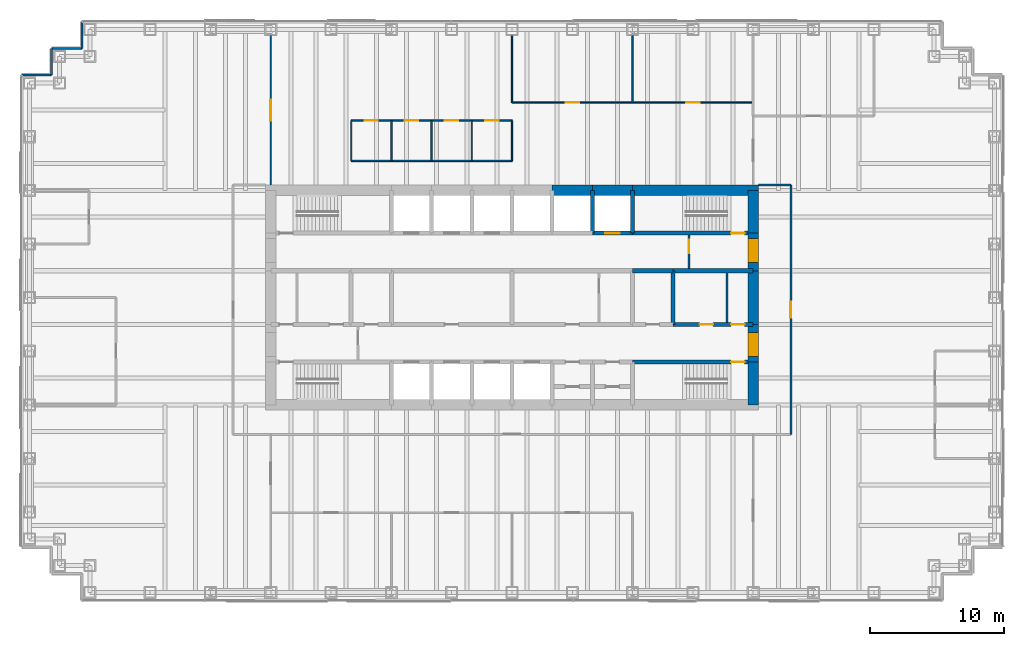
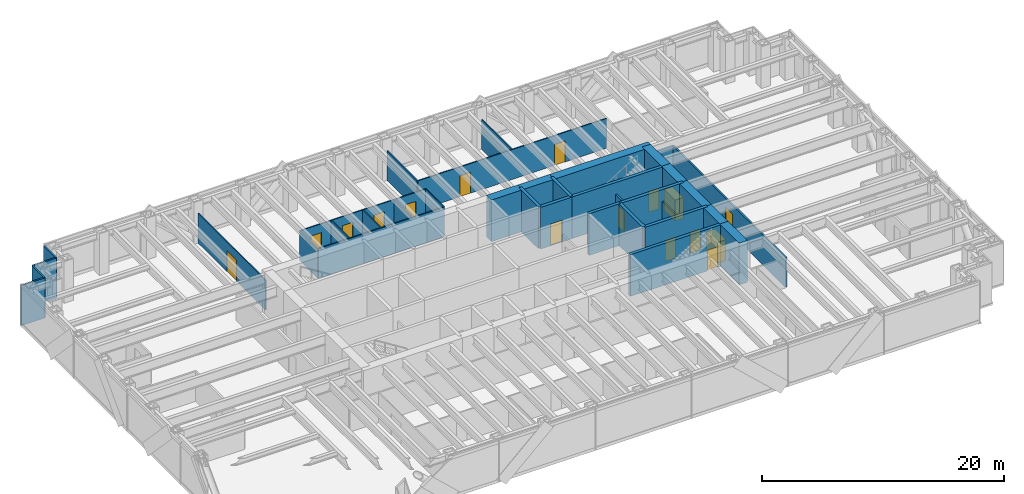
# One storey, part 12 of 14: 36 walls, 16 doors, 16 openings.
"""IFC4 building model written with IfcOpenShell, lengths in metres."""

from ifc_helpers import new_model, si_unit, direction, frame, frame_2d, origin, place, context, subcontext, project, spatial, rectangle, extrude, material, layer, layer_set, type_object, element, fill, save


model = new_model("IFC4")

# Units and contexts
model_context = context("Model", 3, precision=1e-05, world=origin(), true_north=direction((0.0, 1.0)))
body_context = subcontext(model_context, "Body", "Model", "MODEL_VIEW")
ifc_project = project(units=[si_unit("LENGTHUNIT", "METRE"), si_unit("AREAUNIT", "SQUARE_METRE"), si_unit("VOLUMEUNIT", "CUBIC_METRE"), si_unit("PLANEANGLEUNIT", "RADIAN"), si_unit("MASSUNIT", "GRAM", prefix="KILO")], contexts=[model_context])

# Site, building, storey
site_placement = place(None, origin())
site = spatial("IfcSite", under=ifc_project, at=site_placement, CompositionType="ELEMENT")
building_placement = place(site_placement, origin())
building = spatial("IfcBuilding", under=site, at=building_placement, Name="Rheinbord Bourse Tower", CompositionType="ELEMENT")
storey_placement = place(building_placement, frame((0.0, 0.0, 202.60009765625)))
storey = spatial("IfcBuildingStorey", under=building, at=storey_placement, Name="L45", CompositionType="ELEMENT", Elevation=202.60009765625)

# Wall, opening, door
ifc_material_1 = material(Name="Concrete C50/60", Category="concrete")
ifc_layer_1 = layer(ifc_material_1, 0.300048828125)
ifc_layer_set_1 = layer_set([ifc_layer_1], Name="CORE INNER WALL 300")
wall_type_1 = type_object("IfcWallType", Name="CORE INNER WALL 300", PredefinedType="SOLIDWALL", material=ifc_layer_set_1)
wall_1_placement = place(storey_placement, frame((45.0, 19.199951171875, 0.0), z_axis=(0.0, 0.0, 1.0), x_axis=(1.0, 0.0, 0.0)))
wall_1 = element("IfcWall", 1, at=wall_1_placement, inside=storey, type_object=wall_type_1, Name="Core wall A8 L45", PredefinedType="SOLIDWALL", context=body_context, shape_type="SweptSolid", body=[
    extrude(rectangle(XDim=9.0, YDim=0.300048828125, at=frame_2d((4.5, 0.0))), origin(), (0.0, 0.0, 1.0), 4.199951171875),
])
opening_1_placement = place(wall_1_placement, frame((7.35009765625, 0.0, 0.0)))
opening_1 = element("IfcOpeningElement", 2, at=opening_1_placement, cuts=wall_1, Name="Opening 4530", PredefinedType="OPENING", context=body_context, shape_type="SweptSolid", body=[
    extrude(rectangle(XDim=1.0, YDim=2.10009765625, at=frame_2d((0.5, 1.050048828125))), frame((0.0, 0.159912109375, 0.0), z_axis=(0.0, -1.0, 0.0), x_axis=(1.0, 0.0, 0.0)), (0.0, 0.0, 1.0), 0.320068359375),
])
ifc_material_2 = material(Name="Steel door", Category="steel")
door_type_1 = type_object("IfcDoorType", Name="DOOR 1000 EI30", OperationType="SINGLE_SWING_LEFT", PredefinedType="DOOR", material=ifc_material_2)
door_1_placement = place(opening_1_placement, origin())
door_1 = element("IfcDoor", 3, at=door_1_placement, inside=storey, type_object=door_type_1, Name="Stair door ST3 L45", OperationType="SINGLE_SWING_RIGHT", OverallHeight=2.10009765625, OverallWidth=1.0, PredefinedType="DOOR", context=body_context, shape_type="SweptSolid", body=[
    extrude(rectangle(XDim=1.0, YDim=2.10009765625, at=frame_2d((0.5, 1.050048828125))), frame((0.0, 0.02490234375, 0.0), z_axis=(0.0, -1.0, 0.0), x_axis=(1.0, 0.0, 0.0)), (0.0, 0.0, 1.0), 0.050048828125),
])
fill(opening_1, door_1)

wall_2_placement = place(storey_placement, frame((42.0, 28.800048828125, 0.0), z_axis=(0.0, 0.0, 1.0), x_axis=(1.0, 0.0, 0.0)))
wall_2 = element("IfcWall", 4, at=wall_2_placement, inside=storey, type_object=wall_type_1, Name="Core wall B7 L45", PredefinedType="SOLIDWALL", context=body_context, shape_type="SweptSolid", body=[
    extrude(rectangle(XDim=3.0, YDim=0.300048828125, at=frame_2d((1.5, 0.0))), origin(), (0.0, 0.0, 1.0), 4.199951171875),
])
opening_2_placement = place(wall_2_placement, frame((0.949951171875, 0.0, 0.0)))
opening_2 = element("IfcOpeningElement", 5, at=opening_2_placement, cuts=wall_2, Name="Opening FL2", PredefinedType="OPENING", context=body_context, shape_type="SweptSolid", body=[
    extrude(rectangle(XDim=1.10009765625, YDim=2.199951171875, at=frame_2d((0.550048828125, 1.10009765625))), frame((0.0, 0.159912109375, 0.0), z_axis=(0.0, -1.0, 0.0), x_axis=(1.0, 0.0, 0.0)), (0.0, 0.0, 1.0), 0.320068359375),
])
ifc_material_3 = material(Name="Steel landing door", Category="steel")
door_type_2 = type_object("IfcDoorType", Name="LIFT LANDING DOOR 1100", OperationType="DOUBLE_DOOR_SLIDING", PredefinedType="USERDEFINED", material=ifc_material_3)
door_2_placement = place(opening_2_placement, origin())
door_2 = element("IfcDoor", 6, at=door_2_placement, inside=storey, type_object=door_type_2, Name="Lift landing door FL2 L45", ObjectType="LIFT LANDING DOOR", OperationType="DOUBLE_DOOR_SLIDING", OverallHeight=2.199951171875, OverallWidth=1.10009765625, PredefinedType="USERDEFINED", context=body_context, shape_type="SweptSolid", body=[
    extrude(rectangle(XDim=1.10009765625, YDim=2.199951171875, at=frame_2d((0.550048828125, 1.10009765625))), frame((0.0, 0.02490234375, 0.0), z_axis=(0.0, -1.0, 0.0), x_axis=(1.0, 0.0, 0.0)), (0.0, 0.0, 1.0), 0.050048828125),
])
fill(opening_2, door_2)

wall_3_placement = place(storey_placement, frame((45.0, 28.800048828125, 0.0), z_axis=(0.0, 0.0, 1.0), x_axis=(1.0, 0.0, 0.0)))
wall_3 = element("IfcWall", 7, at=wall_3_placement, inside=storey, type_object=wall_type_1, Name="Core wall B8 L45", PredefinedType="SOLIDWALL", context=body_context, shape_type="SweptSolid", body=[
    extrude(rectangle(XDim=9.0, YDim=0.300048828125, at=frame_2d((4.5, 0.0))), origin(), (0.0, 0.0, 1.0), 4.199951171875),
])
opening_3_placement = place(wall_3_placement, frame((7.35009765625, 0.0, 0.0)))
opening_3 = element("IfcOpeningElement", 8, at=opening_3_placement, cuts=wall_3, Name="Opening 4540", PredefinedType="OPENING", context=body_context, shape_type="SweptSolid", body=[
    extrude(rectangle(XDim=1.0, YDim=2.10009765625, at=frame_2d((0.5, 1.050048828125))), frame((0.0, 0.159912109375, 0.0), z_axis=(0.0, -1.0, 0.0), x_axis=(1.0, 0.0, 0.0)), (0.0, 0.0, 1.0), 0.320068359375),
])
door_3_placement = place(opening_3_placement, origin())
door_3 = element("IfcDoor", 9, at=door_3_placement, inside=storey, type_object=door_type_1, Name="Stair door ST4 L45", OperationType="SINGLE_SWING_RIGHT", OverallHeight=2.10009765625, OverallWidth=1.0, PredefinedType="DOOR", context=body_context, shape_type="SweptSolid", body=[
    extrude(rectangle(XDim=1.0, YDim=2.10009765625, at=frame_2d((0.5, 1.050048828125))), frame((0.0, 0.02490234375, 0.0), z_axis=(0.0, -1.0, 0.0), x_axis=(1.0, 0.0, 0.0)), (0.0, 0.0, 1.0), 0.050048828125),
])
fill(opening_3, door_3)

# Wall, openings, doors
wall_4_placement = place(storey_placement, frame((48.0, 22.0, 0.0), z_axis=(0.0, 0.0, 1.0), x_axis=(1.0, 0.0, 0.0)))
wall_4 = element("IfcWall", 10, at=wall_4_placement, inside=storey, type_object=wall_type_1, Name="Core wall C6 L45", PredefinedType="SOLIDWALL", context=body_context, shape_type="SweptSolid", body=[
    extrude(rectangle(XDim=6.0, YDim=0.300048828125, at=frame_2d((3.0, 0.0))), origin(), (0.0, 0.0, 1.0), 4.199951171875),
])
opening_4_placement = place(wall_4_placement, frame((2.0, 0.0, 0.0)))
opening_4 = element("IfcOpeningElement", 11, at=opening_4_placement, cuts=wall_4, Name="Opening 45R6", PredefinedType="OPENING", context=body_context, shape_type="SweptSolid", body=[
    extrude(rectangle(XDim=1.0, YDim=2.10009765625, at=frame_2d((0.5, 1.050048828125))), frame((0.0, 0.159912109375, 0.0), z_axis=(0.0, -1.0, 0.0), x_axis=(1.0, 0.0, 0.0)), (0.0, 0.0, 1.0), 0.320068359375),
])
opening_5_placement = place(wall_4_placement, frame((4.35009765625, 0.0, 0.0)))
opening_5 = element("IfcOpeningElement", 12, at=opening_5_placement, cuts=wall_4, Name="Opening 45R10", PredefinedType="OPENING", context=body_context, shape_type="SweptSolid", body=[
    extrude(rectangle(XDim=1.0, YDim=2.10009765625, at=frame_2d((0.5, 1.050048828125))), frame((0.0, 0.159912109375, 0.0), z_axis=(0.0, -1.0, 0.0), x_axis=(1.0, 0.0, 0.0)), (0.0, 0.0, 1.0), 0.320068359375),
])
door_4_placement = place(opening_5_placement, origin())
door_4 = element("IfcDoor", 13, at=door_4_placement, inside=storey, type_object=door_type_1, Name="Cleaner's store door L45", OperationType="SINGLE_SWING_RIGHT", OverallHeight=2.10009765625, OverallWidth=1.0, PredefinedType="DOOR", context=body_context, shape_type="SweptSolid", body=[
    extrude(rectangle(XDim=1.0, YDim=2.10009765625, at=frame_2d((0.5, 1.050048828125))), frame((0.0, 0.02490234375, 0.0), z_axis=(0.0, -1.0, 0.0), x_axis=(1.0, 0.0, 0.0)), (0.0, 0.0, 1.0), 0.050048828125),
])
fill(opening_5, door_4)
ifc_material_4 = material(Name="Timber door", Category="wood")
door_type_3 = type_object("IfcDoorType", Name="DOOR 1000 WC", OperationType="SINGLE_SWING_LEFT", PredefinedType="DOOR", material=ifc_material_4)
door_5_placement = place(opening_4_placement, origin())
door_5 = element("IfcDoor", 14, at=door_5_placement, inside=storey, type_object=door_type_3, Name="WC women door L45", OperationType="SINGLE_SWING_LEFT", OverallHeight=2.10009765625, OverallWidth=1.0, PredefinedType="DOOR", context=body_context, shape_type="SweptSolid", body=[
    extrude(rectangle(XDim=1.0, YDim=2.10009765625, at=frame_2d((0.5, 1.050048828125))), frame((0.0, 0.02490234375, 0.0), z_axis=(0.0, -1.0, 0.0), x_axis=(1.0, 0.0, 0.0)), (0.0, 0.0, 1.0), 0.050048828125),
])
fill(opening_4, door_5)

# Walls
wall_5_placement = place(storey_placement, frame((45.0, 26.0, 0.0), z_axis=(0.0, 0.0, 1.0), x_axis=(1.0, 0.0, 0.0)))
element("IfcWall", 15, at=wall_5_placement, inside=storey, type_object=wall_type_1, Name="Core wall D5 L45", PredefinedType="SOLIDWALL", context=body_context, shape_type="SweptSolid", body=[
    extrude(rectangle(XDim=3.0, YDim=0.300048828125, at=frame_2d((1.5, 0.0))), origin(), (0.0, 0.0, 1.0), 4.199951171875),
])
wall_6_placement = place(storey_placement, frame((48.0, 26.0, 0.0), z_axis=(0.0, 0.0, 1.0), x_axis=(1.0, 0.0, 0.0)))
element("IfcWall", 16, at=wall_6_placement, inside=storey, type_object=wall_type_1, Name="Core wall D6 L45", PredefinedType="SOLIDWALL", context=body_context, shape_type="SweptSolid", body=[
    extrude(rectangle(XDim=6.0, YDim=0.300048828125, at=frame_2d((3.0, 0.0))), origin(), (0.0, 0.0, 1.0), 4.199951171875),
])
for number, where, z_axis, x_axis, name in (
    (17, (42.0, 28.800048828125, 0.0), (0.0, 0.0, 1.0), (0.0, 1.0, 0.0), "Core wall NX42 L45"),
    (18, (45.0, 28.800048828125, 0.0), (0.0, 0.0, 1.0), (0.0, 1.0, 0.0), "Core wall NX45 L45"),
):
    element("IfcWall", number, at=place(storey_placement, frame(where, z_axis=z_axis, x_axis=x_axis)), inside=storey, type_object=wall_type_1, Name=name, PredefinedType="SOLIDWALL", context=body_context, shape_type="SweptSolid", body=[
        extrude(rectangle(XDim=3.199951171875, YDim=0.300048828125, at=frame_2d((1.60009765625, 0.0))), origin(), (0.0, 0.0, 1.0), 4.199951171875),
    ])
wall_7_placement = place(storey_placement, frame((48.0, 22.0, 0.0), z_axis=(0.0, 0.0, 1.0), x_axis=(0.0, 1.0, 0.0)))
element("IfcWall", 19, at=wall_7_placement, inside=storey, type_object=wall_type_1, Name="Core wall MX48 L45", PredefinedType="SOLIDWALL", context=body_context, shape_type="SweptSolid", body=[
    extrude(rectangle(XDim=4.0, YDim=0.300048828125, at=frame_2d((2.0, 0.0))), origin(), (0.0, 0.0, 1.0), 4.199951171875),
])
ifc_material_5 = material(Name="Gypsum board fire partition", Category="gypsum board")
ifc_layer_2 = layer(ifc_material_5, 0.14990234375)
ifc_layer_set_2 = layer_set([ifc_layer_2], Name="CORE PARTITION 150 EI30")
wall_type_2 = type_object("IfcWallType", Name="CORE PARTITION 150 EI30", PredefinedType="PARTITIONING", material=ifc_layer_set_2)
wall_8_placement = place(storey_placement, frame((52.02490234375, 22.14990234375, 0.0), z_axis=(0.0, 0.0, 1.0), x_axis=(0.0, 1.0, 0.0)))
element("IfcWall", 20, at=wall_8_placement, inside=storey, type_object=wall_type_2, Name="Core partition L45-3", PredefinedType="PARTITIONING", context=body_context, shape_type="SweptSolid", body=[
    extrude(rectangle(XDim=3.7001953125, YDim=0.14990234375, at=frame_2d((1.85009765625, 0.0))), origin(), (0.0, 0.0, 1.0), 3.0),
])

# Wall, opening, door
wall_9_placement = place(storey_placement, frame((49.199951171875, 26.14990234375, 0.0), z_axis=(0.0, 0.0, 1.0), x_axis=(0.0, 1.0, 0.0)))
wall_9 = element("IfcWall", 21, at=wall_9_placement, inside=storey, type_object=wall_type_2, Name="Core partition L45-5", PredefinedType="PARTITIONING", context=body_context, shape_type="SweptSolid", body=[
    extrude(rectangle(XDim=2.5, YDim=0.14990234375, at=frame_2d((1.25, 0.0))), origin(), (0.0, 0.0, 1.0), 3.0),
])
opening_6_placement = place(wall_9_placement, frame((1.14990234375, 0.0, 0.0)))
opening_6 = element("IfcOpeningElement", 22, at=opening_6_placement, cuts=wall_9, Name="Opening 45L6", PredefinedType="OPENING", context=body_context, shape_type="SweptSolid", body=[
    extrude(rectangle(XDim=1.0, YDim=2.10009765625, at=frame_2d((0.5, 1.050048828125))), frame((0.0, 0.0849609375, 0.0), z_axis=(0.0, -1.0, 0.0), x_axis=(1.0, 0.0, 0.0)), (0.0, 0.0, 1.0), 0.169921875),
])
door_6_placement = place(opening_6_placement, origin())
door_6 = element("IfcDoor", 23, at=door_6_placement, inside=storey, type_object=door_type_1, Name="Stair lobby door L45", OperationType="SINGLE_SWING_RIGHT", OverallHeight=2.10009765625, OverallWidth=1.0, PredefinedType="DOOR", context=body_context, shape_type="SweptSolid", body=[
    extrude(rectangle(XDim=1.0, YDim=2.10009765625, at=frame_2d((0.5, 1.050048828125))), frame((0.0, 0.02490234375, 0.0), z_axis=(0.0, -1.0, 0.0), x_axis=(1.0, 0.0, 0.0)), (0.0, 0.0, 1.0), 0.050048828125),
])
fill(opening_6, door_6)

# Walls
ifc_material_6 = material(Name="Concrete C50/60", Category="concrete")
ifc_layer_3 = layer(ifc_material_6, 0.800048828125)
ifc_layer_set_3 = layer_set([ifc_layer_3], Name="CORE WALL 800")
wall_type_3 = type_object("IfcWallType", Name="CORE WALL 800", PredefinedType="SHEAR", material=ifc_layer_set_3)
wall_10_placement = place(storey_placement, frame((54.39990234375, 32.0, 0.0), z_axis=(0.0, 0.0, 1.0), x_axis=(-1.0, 0.0, 0.0)))
element("IfcWall", 24, at=wall_10_placement, inside=storey, type_object=wall_type_3, Name="Core wall N1 L45", PredefinedType="SHEAR", context=body_context, shape_type="SweptSolid", body=[
    extrude(rectangle(XDim=9.39990234375, YDim=0.800048828125, at=frame_2d((4.699951171875, 0.0))), origin(), (0.0, 0.0, 1.0), 4.199951171875),
])
for number, where, z_axis, x_axis, name in (
    (25, (45.0, 32.0, 0.0), (0.0, 0.0, 1.0), (-1.0, 0.0, 0.0), "Core wall N2 L45"),
    (26, (42.0, 32.0, 0.0), (0.0, 0.0, 1.0), (-1.0, 0.0, 0.0), "Core wall N3 L45"),
):
    element("IfcWall", number, at=place(storey_placement, frame(where, z_axis=z_axis, x_axis=x_axis)), inside=storey, type_object=wall_type_3, Name=name, PredefinedType="SHEAR", context=body_context, shape_type="SweptSolid", body=[
        extrude(rectangle(XDim=3.0, YDim=0.800048828125, at=frame_2d((1.5, 0.0))), origin(), (0.0, 0.0, 1.0), 4.199951171875),
    ])
wall_11_placement = place(storey_placement, frame((54.0, 16.0, 0.0), z_axis=(0.0, 0.0, 1.0), x_axis=(0.0, 1.0, 0.0)))
element("IfcWall", 27, at=wall_11_placement, inside=storey, type_object=wall_type_3, Name="Core wall E1 L45", PredefinedType="SHEAR", context=body_context, shape_type="SweptSolid", body=[
    extrude(rectangle(XDim=3.199951171875, YDim=0.800048828125, at=frame_2d((1.60009765625, 0.0))), origin(), (0.0, 0.0, 1.0), 4.199951171875),
])

# Wall, opening, door
wall_12_placement = place(storey_placement, frame((54.0, 19.199951171875, 0.0), z_axis=(0.0, 0.0, 1.0), x_axis=(0.0, 1.0, 0.0)))
wall_12 = element("IfcWall", 28, at=wall_12_placement, inside=storey, type_object=wall_type_3, Name="Core wall E2 L45", PredefinedType="SHEAR", context=body_context, shape_type="SweptSolid", body=[
    extrude(rectangle(XDim=2.800048828125, YDim=0.800048828125, at=frame_2d((1.39990234375, 0.0))), origin(), (0.0, 0.0, 1.0), 4.199951171875),
])
opening_7_placement = place(wall_12_placement, frame((0.39990234375, 0.0, 0.0)))
opening_7 = element("IfcOpeningElement", 29, at=opening_7_placement, cuts=wall_12, Name="Opening 45L3", PredefinedType="OPENING", context=body_context, shape_type="SweptSolid", body=[
    extrude(rectangle(XDim=1.800048828125, YDim=2.10009765625, at=frame_2d((0.89990234375, 1.050048828125))), frame((0.0, 0.409912109375, 0.0), z_axis=(0.0, -1.0, 0.0), x_axis=(1.0, 0.0, 0.0)), (0.0, 0.0, 1.0), 0.820068359375),
])
ifc_material_7 = material(Name="Steel door", Category="steel")
door_type_4 = type_object("IfcDoorType", Name="DOOR 1800 EI30 DOUBLE", OperationType="DOUBLE_DOOR_DOUBLE_SWING", PredefinedType="DOOR", material=ifc_material_7)
door_7_placement = place(opening_7_placement, origin())
door_7 = element("IfcDoor", 30, at=door_7_placement, inside=storey, type_object=door_type_4, Name="Lobby door 3 L45", OperationType="SINGLE_SWING_LEFT", OverallHeight=2.10009765625, OverallWidth=1.800048828125, PredefinedType="DOOR", context=body_context, shape_type="SweptSolid", body=[
    extrude(rectangle(XDim=1.800048828125, YDim=2.10009765625, at=frame_2d((0.89990234375, 1.050048828125))), frame((0.0, 0.39990234375, 0.0), z_axis=(0.0, -1.0, 0.0), x_axis=(1.0, 0.0, 0.0)), (0.0, 0.0, 1.0), 0.799560546875),
])
fill(opening_7, door_7)

# Wall
wall_13_placement = place(storey_placement, frame((54.0, 22.0, 0.0), z_axis=(0.0, 0.0, 1.0), x_axis=(0.0, 1.0, 0.0)))
element("IfcWall", 31, at=wall_13_placement, inside=storey, type_object=wall_type_3, Name="Core wall E3 L45", PredefinedType="SHEAR", context=body_context, shape_type="SweptSolid", body=[
    extrude(rectangle(XDim=4.0, YDim=0.800048828125, at=frame_2d((2.0, 0.0))), origin(), (0.0, 0.0, 1.0), 4.199951171875),
])

# Wall, opening, door
wall_14_placement = place(storey_placement, frame((54.0, 26.0, 0.0), z_axis=(0.0, 0.0, 1.0), x_axis=(0.0, 1.0, 0.0)))
wall_14 = element("IfcWall", 32, at=wall_14_placement, inside=storey, type_object=wall_type_3, Name="Core wall E4 L45", PredefinedType="SHEAR", context=body_context, shape_type="SweptSolid", body=[
    extrude(rectangle(XDim=2.800048828125, YDim=0.800048828125, at=frame_2d((1.39990234375, 0.0))), origin(), (0.0, 0.0, 1.0), 4.199951171875),
])
opening_8_placement = place(wall_14_placement, frame((0.60009765625, 0.0, 0.0)))
opening_8 = element("IfcOpeningElement", 33, at=opening_8_placement, cuts=wall_14, Name="Opening 45L4", PredefinedType="OPENING", context=body_context, shape_type="SweptSolid", body=[
    extrude(rectangle(XDim=1.800048828125, YDim=2.10009765625, at=frame_2d((0.89990234375, 1.050048828125))), frame((0.0, 0.409912109375, 0.0), z_axis=(0.0, -1.0, 0.0), x_axis=(1.0, 0.0, 0.0)), (0.0, 0.0, 1.0), 0.820068359375),
])
door_8_placement = place(opening_8_placement, origin())
door_8 = element("IfcDoor", 34, at=door_8_placement, inside=storey, type_object=door_type_4, Name="Lobby door 4 L45", OperationType="SINGLE_SWING_LEFT", OverallHeight=2.10009765625, OverallWidth=1.800048828125, PredefinedType="DOOR", context=body_context, shape_type="SweptSolid", body=[
    extrude(rectangle(XDim=1.800048828125, YDim=2.10009765625, at=frame_2d((0.89990234375, 1.050048828125))), frame((0.0, 0.39990234375, 0.0), z_axis=(0.0, -1.0, 0.0), x_axis=(1.0, 0.0, 0.0)), (0.0, 0.0, 1.0), 0.799560546875),
])
fill(opening_8, door_8)

# Walls
wall_15_placement = place(storey_placement, frame((54.0, 28.800048828125, 0.0), z_axis=(0.0, 0.0, 1.0), x_axis=(0.0, 1.0, 0.0)))
element("IfcWall", 35, at=wall_15_placement, inside=storey, type_object=wall_type_3, Name="Core wall E5 L45", PredefinedType="SHEAR", context=body_context, shape_type="SweptSolid", body=[
    extrude(rectangle(XDim=3.199951171875, YDim=0.800048828125, at=frame_2d((1.60009765625, 0.0))), origin(), (0.0, 0.0, 1.0), 4.199951171875),
])
ifc_material_8 = material(Name="Black metal rainscreen panel", Category="aluminium")
ifc_layer_4 = layer(ifc_material_8, 0.14990234375)
ifc_layer_set_4 = layer_set([ifc_layer_4], Name="CORNER PIER CLADDING 150")
wall_type_4 = type_object("IfcWallType", Name="CORNER PIER CLADDING 150", PredefinedType="ELEMENTEDWALL", material=ifc_layer_set_4)
wall_16_placement = place(storey_placement, frame((3.89990234375, 44.60009765625, 0.0), z_axis=(0.0, 0.0, 1.0), x_axis=(0.0, -1.0, 0.0)))
element("IfcWall", 36, at=wall_16_placement, inside=storey, type_object=wall_type_4, Name="Corner pier cladding L45 12", PredefinedType="ELEMENTEDWALL", context=body_context, shape_type="SweptSolid", body=[
    extrude(rectangle(XDim=2.0, YDim=0.14990234375, at=frame_2d((1.0, 0.0))), origin(), (0.0, 0.0, 1.0), 4.039794921875),
])
wall_17_placement = place(storey_placement, frame((3.89990234375, 42.60009765625, 0.0), z_axis=(0.0, 0.0, 1.0), x_axis=(-1.0, 0.0, 0.0)))
element("IfcWall", 37, at=wall_17_placement, inside=storey, type_object=wall_type_4, Name="Corner pier cladding L45 13", PredefinedType="ELEMENTEDWALL", context=body_context, shape_type="SweptSolid", body=[
    extrude(rectangle(XDim=2.25, YDim=0.14990234375, at=frame_2d((1.125, 0.0))), origin(), (0.0, 0.0, 1.0), 4.039794921875),
])
wall_18_placement = place(storey_placement, frame((1.64990234375, 42.60009765625, 0.0), z_axis=(0.0, 0.0, 1.0), x_axis=(0.0, -1.0, 0.0)))
element("IfcWall", 38, at=wall_18_placement, inside=storey, type_object=wall_type_4, Name="Corner pier cladding L45 14", PredefinedType="ELEMENTEDWALL", context=body_context, shape_type="SweptSolid", body=[
    extrude(rectangle(XDim=2.0, YDim=0.14990234375, at=frame_2d((1.0, 0.0))), origin(), (0.0, 0.0, 1.0), 4.039794921875),
])
wall_19_placement = place(storey_placement, frame((1.64990234375, 40.60009765625, 0.0), z_axis=(0.0, 0.0, 1.0), x_axis=(-1.0, 0.0, 0.0)))
element("IfcWall", 39, at=wall_19_placement, inside=storey, type_object=wall_type_4, Name="Corner pier cladding L45 15", PredefinedType="ELEMENTEDWALL", context=body_context, shape_type="SweptSolid", body=[
    extrude(rectangle(XDim=2.25, YDim=0.14990234375, at=frame_2d((1.125, 0.0))), origin(), (0.0, 0.0, 1.0), 4.039794921875),
])
ifc_material_9 = material(Name="Gypsum board corridor partition", Category="gypsum board")
ifc_layer_5 = layer(ifc_material_9, 0.14990234375)
ifc_layer_set_5 = layer_set([ifc_layer_5], Name="CORRIDOR PARTITION 150 EI30")
wall_type_5 = type_object("IfcWallType", Name="CORRIDOR PARTITION 150 EI30", PredefinedType="PARTITIONING", material=ifc_layer_set_5)
wall_20_placement = place(storey_placement, frame((54.39990234375, 32.39990234375, 0.0), z_axis=(0.0, 0.0, 1.0), x_axis=(1.0, 0.0, 0.0)))
element("IfcWall", 40, at=wall_20_placement, inside=storey, type_object=wall_type_5, Name="Partition L45-11", PredefinedType="PARTITIONING", context=body_context, shape_type="SweptSolid", body=[
    extrude(rectangle(XDim=2.400146484375, YDim=0.14990234375, at=frame_2d((1.2001953125, 0.0))), origin(), (0.0, 0.0, 1.0), 3.0),
])

# Wall, opening, door
wall_21_placement = place(storey_placement, frame((56.800048828125, 13.800048828125, 0.0), z_axis=(0.0, 0.0, 1.0), x_axis=(0.0, 1.0, 0.0)))
wall_21 = element("IfcWall", 41, at=wall_21_placement, inside=storey, type_object=wall_type_5, Name="Partition L45-34", PredefinedType="PARTITIONING", context=body_context, shape_type="SweptSolid", body=[
    extrude(rectangle(XDim=18.599853515625, YDim=0.14990234375, at=frame_2d((9.2998046875, 0.0))), origin(), (0.0, 0.0, 1.0), 3.0),
])
opening_9_placement = place(wall_21_placement, frame((8.699951171875, 0.0, 0.0)))
opening_9 = element("IfcOpeningElement", 42, at=opening_9_placement, cuts=wall_21, Name="Opening 45D20", PredefinedType="OPENING", context=body_context, shape_type="SweptSolid", body=[
    extrude(rectangle(XDim=1.199951171875, YDim=2.10009765625, at=frame_2d((0.60009765625, 1.050048828125))), frame((0.0, 0.0849609375, 0.0), z_axis=(0.0, -1.0, 0.0), x_axis=(1.0, 0.0, 0.0)), (0.0, 0.0, 1.0), 0.169921875),
])
ifc_material_10 = material(Name="Timber fire door", Category="wood")
door_type_5 = type_object("IfcDoorType", Name="SUITE ENTRANCE DOOR 1200 EI30", OperationType="SINGLE_SWING_LEFT", PredefinedType="DOOR", material=ifc_material_10)
door_9_placement = place(opening_9_placement, origin())
door_9 = element("IfcDoor", 43, at=door_9_placement, inside=storey, type_object=door_type_5, Name="Suite entrance 2 door L45", OperationType="SINGLE_SWING_LEFT", OverallHeight=2.10009765625, OverallWidth=1.199951171875, PredefinedType="DOOR", context=body_context, shape_type="SweptSolid", body=[
    extrude(rectangle(XDim=1.199951171875, YDim=2.10009765625, at=frame_2d((0.60009765625, 1.050048828125))), frame((0.0, 0.02490234375, 0.0), z_axis=(0.0, -1.0, 0.0), x_axis=(1.0, 0.0, 0.0)), (0.0, 0.0, 1.0), 0.050048828125),
])
fill(opening_9, door_9)

# Wall
ifc_material_11 = material(Name="Toughened laminated glass partition", Category="glass")
ifc_layer_6 = layer(ifc_material_11, 0.10009765625)
ifc_layer_set_6 = layer_set([ifc_layer_6], Name="GLAZED PARTITION 100")
wall_type_6 = type_object("IfcWallType", Name="GLAZED PARTITION 100", PredefinedType="PARTITIONING", material=ifc_layer_set_6)
wall_22_placement = place(storey_placement, frame((24.0, 34.199951171875, 0.0), z_axis=(0.0, 0.0, 1.0), x_axis=(1.0, 0.0, 0.0)))
element("IfcWall", 44, at=wall_22_placement, inside=storey, type_object=wall_type_6, Name="Partition L45-12", PredefinedType="PARTITIONING", context=body_context, shape_type="SweptSolid", body=[
    extrude(rectangle(XDim=12.0, YDim=0.10009765625, at=frame_2d((6.0, 0.0))), origin(), (0.0, 0.0, 1.0), 3.0),
])

# Wall, openings, doors
wall_23_placement = place(storey_placement, frame((24.0, 37.199951171875, 0.0), z_axis=(0.0, 0.0, 1.0), x_axis=(1.0, 0.0, 0.0)))
wall_23 = element("IfcWall", 45, at=wall_23_placement, inside=storey, type_object=wall_type_6, Name="Partition L45-13", PredefinedType="PARTITIONING", context=body_context, shape_type="SweptSolid", body=[
    extrude(rectangle(XDim=12.0, YDim=0.10009765625, at=frame_2d((6.0, 0.0))), origin(), (0.0, 0.0, 1.0), 3.0),
])
opening_10_placement = place(wall_23_placement, frame((1.0, 0.0, 0.0)))
opening_10 = element("IfcOpeningElement", 46, at=opening_10_placement, cuts=wall_23, Name="Opening 45D08", PredefinedType="OPENING", context=body_context, shape_type="SweptSolid", body=[
    extrude(rectangle(XDim=1.0, YDim=2.10009765625, at=frame_2d((0.5, 1.050048828125))), frame((0.0, 0.06005859375, 0.0), z_axis=(0.0, -1.0, 0.0), x_axis=(1.0, 0.0, 0.0)), (0.0, 0.0, 1.0), 0.1201171875),
])
opening_11_placement = place(wall_23_placement, frame((4.0, 0.0, 0.0)))
opening_11 = element("IfcOpeningElement", 47, at=opening_11_placement, cuts=wall_23, Name="Opening 45D09", PredefinedType="OPENING", context=body_context, shape_type="SweptSolid", body=[
    extrude(rectangle(XDim=1.0, YDim=2.10009765625, at=frame_2d((0.5, 1.050048828125))), frame((0.0, 0.06005859375, 0.0), z_axis=(0.0, -1.0, 0.0), x_axis=(1.0, 0.0, 0.0)), (0.0, 0.0, 1.0), 0.1201171875),
])
opening_12_placement = place(wall_23_placement, frame((7.0, 0.0, 0.0)))
opening_12 = element("IfcOpeningElement", 48, at=opening_12_placement, cuts=wall_23, Name="Opening 45D10", PredefinedType="OPENING", context=body_context, shape_type="SweptSolid", body=[
    extrude(rectangle(XDim=1.0, YDim=2.10009765625, at=frame_2d((0.5, 1.050048828125))), frame((0.0, 0.06005859375, 0.0), z_axis=(0.0, -1.0, 0.0), x_axis=(1.0, 0.0, 0.0)), (0.0, 0.0, 1.0), 0.1201171875),
])
opening_13_placement = place(wall_23_placement, frame((10.0, 0.0, 0.0)))
opening_13 = element("IfcOpeningElement", 49, at=opening_13_placement, cuts=wall_23, Name="Opening 45D11", PredefinedType="OPENING", context=body_context, shape_type="SweptSolid", body=[
    extrude(rectangle(XDim=1.0, YDim=2.10009765625, at=frame_2d((0.5, 1.050048828125))), frame((0.0, 0.06005859375, 0.0), z_axis=(0.0, -1.0, 0.0), x_axis=(1.0, 0.0, 0.0)), (0.0, 0.0, 1.0), 0.1201171875),
])
ifc_material_12 = material(Name="Timber door", Category="wood")
door_type_6 = type_object("IfcDoorType", Name="ROOM DOOR 1000", OperationType="SINGLE_SWING_LEFT", PredefinedType="DOOR", material=ifc_material_12)
door_10_placement = place(opening_10_placement, origin())
door_10 = element("IfcDoor", 50, at=door_10_placement, inside=storey, type_object=door_type_6, Name="Quiet room door L45", OperationType="SINGLE_SWING_LEFT", OverallHeight=2.10009765625, OverallWidth=1.0, PredefinedType="DOOR", context=body_context, shape_type="SweptSolid", body=[
    extrude(rectangle(XDim=1.0, YDim=2.10009765625, at=frame_2d((0.5, 1.050048828125))), frame((0.0, 0.02490234375, 0.0), z_axis=(0.0, -1.0, 0.0), x_axis=(1.0, 0.0, 0.0)), (0.0, 0.0, 1.0), 0.050048828125),
])
fill(opening_10, door_10)
door_11_placement = place(opening_11_placement, origin())
door_11 = element("IfcDoor", 51, at=door_11_placement, inside=storey, type_object=door_type_6, Name="Quiet room door L45", OperationType="SINGLE_SWING_LEFT", OverallHeight=2.10009765625, OverallWidth=1.0, PredefinedType="DOOR", context=body_context, shape_type="SweptSolid", body=[
    extrude(rectangle(XDim=1.0, YDim=2.10009765625, at=frame_2d((0.5, 1.050048828125))), frame((0.0, 0.02490234375, 0.0), z_axis=(0.0, -1.0, 0.0), x_axis=(1.0, 0.0, 0.0)), (0.0, 0.0, 1.0), 0.050048828125),
])
fill(opening_11, door_11)
door_12_placement = place(opening_12_placement, origin())
door_12 = element("IfcDoor", 52, at=door_12_placement, inside=storey, type_object=door_type_6, Name="Quiet room door L45", OperationType="SINGLE_SWING_RIGHT", OverallHeight=2.10009765625, OverallWidth=1.0, PredefinedType="DOOR", context=body_context, shape_type="SweptSolid", body=[
    extrude(rectangle(XDim=1.0, YDim=2.10009765625, at=frame_2d((0.5, 1.050048828125))), frame((0.0, 0.02490234375, 0.0), z_axis=(0.0, -1.0, 0.0), x_axis=(1.0, 0.0, 0.0)), (0.0, 0.0, 1.0), 0.050048828125),
])
fill(opening_12, door_12)
door_13_placement = place(opening_13_placement, origin())
door_13 = element("IfcDoor", 53, at=door_13_placement, inside=storey, type_object=door_type_6, Name="Quiet room door L45", OperationType="SINGLE_SWING_RIGHT", OverallHeight=2.10009765625, OverallWidth=1.0, PredefinedType="DOOR", context=body_context, shape_type="SweptSolid", body=[
    extrude(rectangle(XDim=1.0, YDim=2.10009765625, at=frame_2d((0.5, 1.050048828125))), frame((0.0, 0.02490234375, 0.0), z_axis=(0.0, -1.0, 0.0), x_axis=(1.0, 0.0, 0.0)), (0.0, 0.0, 1.0), 0.050048828125),
])
fill(opening_13, door_13)

wall_24_placement = place(storey_placement, frame((36.0, 38.550048828125, 0.0), z_axis=(0.0, 0.0, 1.0), x_axis=(1.0, 0.0, 0.0)))
wall_24 = element("IfcWall", 54, at=wall_24_placement, inside=storey, type_object=wall_type_6, Name="Partition L45-15", PredefinedType="PARTITIONING", context=body_context, shape_type="SweptSolid", body=[
    extrude(rectangle(XDim=18.0, YDim=0.10009765625, at=frame_2d((9.0, 0.0))), origin(), (0.0, 0.0, 1.0), 3.0),
])
opening_14_placement = place(wall_24_placement, frame((4.0, 0.0, 0.0)))
opening_14 = element("IfcOpeningElement", 55, at=opening_14_placement, cuts=wall_24, Name="Opening 45D13", PredefinedType="OPENING", context=body_context, shape_type="SweptSolid", body=[
    extrude(rectangle(XDim=1.0, YDim=2.10009765625, at=frame_2d((0.5, 1.050048828125))), frame((0.0, 0.06005859375, 0.0), z_axis=(0.0, -1.0, 0.0), x_axis=(1.0, 0.0, 0.0)), (0.0, 0.0, 1.0), 0.1201171875),
])
opening_15_placement = place(wall_24_placement, frame((13.0, 0.0, 0.0)))
opening_15 = element("IfcOpeningElement", 56, at=opening_15_placement, cuts=wall_24, Name="Opening 45D14", PredefinedType="OPENING", context=body_context, shape_type="SweptSolid", body=[
    extrude(rectangle(XDim=1.0, YDim=2.10009765625, at=frame_2d((0.5, 1.050048828125))), frame((0.0, 0.06005859375, 0.0), z_axis=(0.0, -1.0, 0.0), x_axis=(1.0, 0.0, 0.0)), (0.0, 0.0, 1.0), 0.1201171875),
])
door_14_placement = place(opening_14_placement, origin())
door_14 = element("IfcDoor", 57, at=door_14_placement, inside=storey, type_object=door_type_6, Name="Meeting room door L45", OperationType="SINGLE_SWING_LEFT", OverallHeight=2.10009765625, OverallWidth=1.0, PredefinedType="DOOR", context=body_context, shape_type="SweptSolid", body=[
    extrude(rectangle(XDim=1.0, YDim=2.10009765625, at=frame_2d((0.5, 1.050048828125))), frame((0.0, 0.02490234375, 0.0), z_axis=(0.0, -1.0, 0.0), x_axis=(1.0, 0.0, 0.0)), (0.0, 0.0, 1.0), 0.050048828125),
])
fill(opening_14, door_14)
door_15_placement = place(opening_15_placement, origin())
door_15 = element("IfcDoor", 58, at=door_15_placement, inside=storey, type_object=door_type_6, Name="Meeting room door L45", OperationType="SINGLE_SWING_RIGHT", OverallHeight=2.10009765625, OverallWidth=1.0, PredefinedType="DOOR", context=body_context, shape_type="SweptSolid", body=[
    extrude(rectangle(XDim=1.0, YDim=2.10009765625, at=frame_2d((0.5, 1.050048828125))), frame((0.0, 0.02490234375, 0.0), z_axis=(0.0, -1.0, 0.0), x_axis=(1.0, 0.0, 0.0)), (0.0, 0.0, 1.0), 0.050048828125),
])
fill(opening_15, door_15)

# Wall, opening, door
wall_25_placement = place(storey_placement, frame((18.0, 32.39990234375, 0.0), z_axis=(0.0, 0.0, 1.0), x_axis=(0.0, 1.0, 0.0)))
wall_25 = element("IfcWall", 59, at=wall_25_placement, inside=storey, type_object=wall_type_6, Name="Partition L45-20", PredefinedType="PARTITIONING", context=body_context, shape_type="SweptSolid", body=[
    extrude(rectangle(XDim=11.150146484375, YDim=0.10009765625, at=frame_2d((5.5751953125, 0.0))), origin(), (0.0, 0.0, 1.0), 3.0),
])
opening_16_placement = place(wall_25_placement, frame((4.77490234375, 0.0, 0.0)))
opening_16 = element("IfcOpeningElement", 60, at=opening_16_placement, cuts=wall_25, Name="Opening 45D16", PredefinedType="OPENING", context=body_context, shape_type="SweptSolid", body=[
    extrude(rectangle(XDim=1.60009765625, YDim=2.10009765625, at=frame_2d((0.800048828125, 1.050048828125))), frame((0.0, 0.06005859375, 0.0), z_axis=(0.0, -1.0, 0.0), x_axis=(1.0, 0.0, 0.0)), (0.0, 0.0, 1.0), 0.1201171875),
])
ifc_material_13 = material(Name="Timber door", Category="wood")
door_type_7 = type_object("IfcDoorType", Name="DOUBLE ROOM DOOR 1600", OperationType="DOUBLE_DOOR_DOUBLE_SWING", PredefinedType="DOOR", material=ifc_material_13)
door_16_placement = place(opening_16_placement, origin())
door_16 = element("IfcDoor", 61, at=door_16_placement, inside=storey, type_object=door_type_7, Name="Open area door L45", OperationType="SINGLE_SWING_LEFT", OverallHeight=2.10009765625, OverallWidth=1.60009765625, PredefinedType="DOOR", context=body_context, shape_type="SweptSolid", body=[
    extrude(rectangle(XDim=1.60009765625, YDim=2.10009765625, at=frame_2d((0.800048828125, 1.050048828125))), frame((0.0, 0.02490234375, 0.0), z_axis=(0.0, -1.0, 0.0), x_axis=(1.0, 0.0, 0.0)), (0.0, 0.0, 1.0), 0.050048828125),
])
fill(opening_16, door_16)

# Walls
for number, where, z_axis, x_axis, name in (
    (62, (24.0, 34.199951171875, 0.0), (0.0, 0.0, 1.0), (0.0, 1.0, 0.0), "Partition L45-21"),
    (63, (27.0, 34.199951171875, 0.0), (0.0, 0.0, 1.0), (0.0, 1.0, 0.0), "Partition L45-23"),
    (64, (30.0, 34.199951171875, 0.0), (0.0, 0.0, 1.0), (0.0, 1.0, 0.0), "Partition L45-24"),
    (65, (33.0, 34.199951171875, 0.0), (0.0, 0.0, 1.0), (0.0, 1.0, 0.0), "Partition L45-25"),
    (66, (36.0, 34.199951171875, 0.0), (0.0, 0.0, 1.0), (0.0, 1.0, 0.0), "Partition L45-27"),
):
    element("IfcWall", number, at=place(storey_placement, frame(where, z_axis=z_axis, x_axis=x_axis)), inside=storey, type_object=wall_type_6, Name=name, PredefinedType="PARTITIONING", context=body_context, shape_type="SweptSolid", body=[
        extrude(rectangle(XDim=3.0, YDim=0.10009765625, at=frame_2d((1.5, 0.0))), origin(), (0.0, 0.0, 1.0), 3.0),
    ])
for number, where, z_axis, x_axis, name in (
    (67, (36.0, 38.550048828125, 0.0), (0.0, 0.0, 1.0), (0.0, 1.0, 0.0), "Partition L45-28"),
    (68, (45.0, 38.550048828125, 0.0), (0.0, 0.0, 1.0), (0.0, 1.0, 0.0), "Partition L45-30"),
):
    element("IfcWall", number, at=place(storey_placement, frame(where, z_axis=z_axis, x_axis=x_axis)), inside=storey, type_object=wall_type_6, Name=name, PredefinedType="PARTITIONING", context=body_context, shape_type="SweptSolid", body=[
        extrude(rectangle(XDim=5.0, YDim=0.10009765625, at=frame_2d((2.5, 0.0))), origin(), (0.0, 0.0, 1.0), 3.0),
    ])

save(model, "model.ifc")
